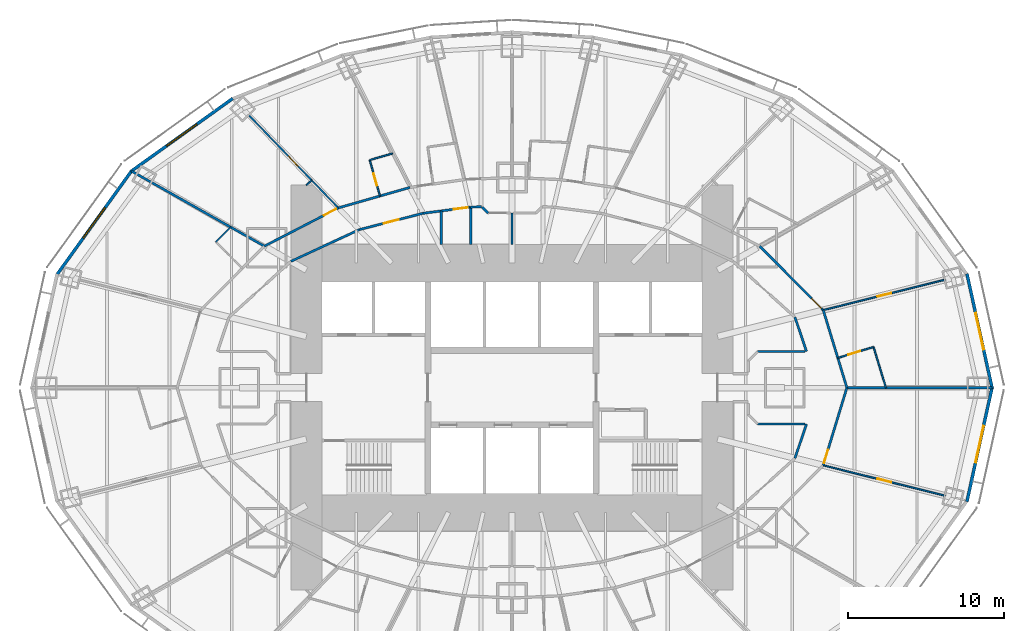
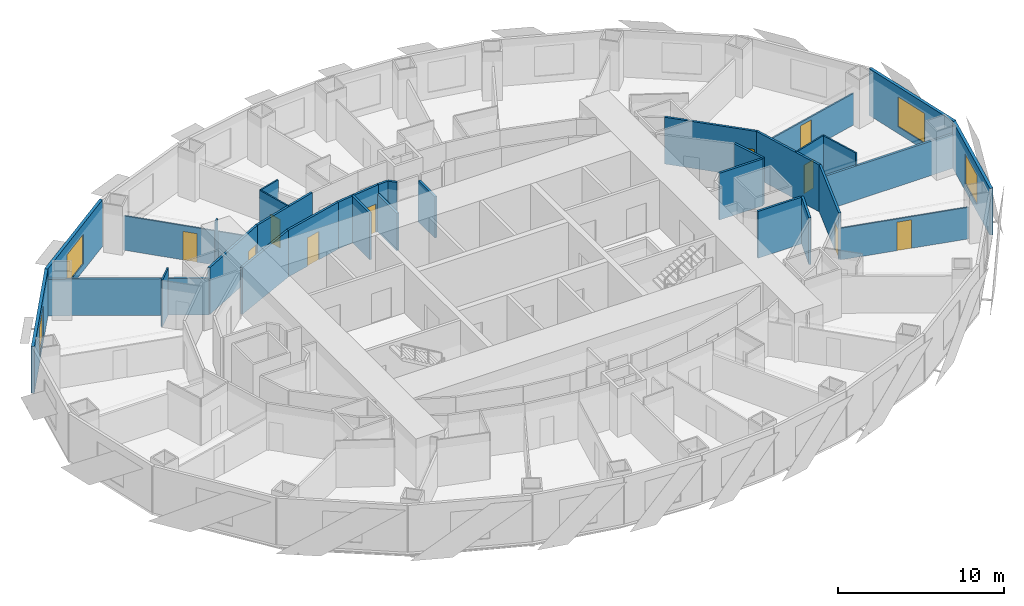
# One storey, part 8 of 15: 32 walls, 10 doors, 4 windows, 14 openings.
"""IFC4 building model written with IfcOpenShell, lengths in metres."""

import ifcopenshell
import ifcopenshell.guid

model = None  # the IFC model being written
_history = None  # IfcOwnerHistory: only IFC2X3 demands one
_inside = {}  # id of a spatial element -> (the spatial element, [elements in it])
_under = {}  # id of a project, library or spatial element -> (it, [spatial elements below it])
_declared = {}  # id of a project -> (the project, [libraries it declares])
_typed = {}  # id of a type object -> (the type object, [elements of that type])
_made_of = {}  # id of a material, layer set ... -> (it, [elements and type objects made of it])


def new_model(schema):
    """Start an empty IFC model of exactly this schema.

    Asked for "IFC4X3", IfcOpenShell would pick the latest addendum, in which some entities
    have other attributes; the version numbers below select the first issue.
    IFC2X3 requires an IfcOwnerHistory on every rooted entity: one is made here for all.
    """
    global model, _history
    if schema == "IFC4X3":
        model = ifcopenshell.file(schema_version=(4, 3, 0, 0))
    else:
        model = ifcopenshell.file(schema=schema)
    _inside.clear()
    _under.clear()
    _declared.clear()
    _typed.clear()
    _made_of.clear()
    _history = None
    if model.schema == "IFC2X3":
        org = make("IfcOrganization", Name="unknown")
        user = make(
            "IfcPersonAndOrganization",
            ThePerson=make("IfcPerson", FamilyName="unknown"),
            TheOrganization=org,
        )
        app = make(
            "IfcApplication",
            ApplicationDeveloper=org,
            Version="unknown",
            ApplicationFullName="unknown",
            ApplicationIdentifier="unknown",
        )
        _history = make(
            "IfcOwnerHistory",
            OwningUser=user,
            OwningApplication=app,
            ChangeAction="ADDED",
            CreationDate=0,
        )
    return model


def make(cls, **values):
    """One entity of the class cls with the attributes given. An attribute that is None is left unset."""
    return model.create_entity(
        cls, **{name: value for name, value in values.items() if value is not None}
    )


def rooted(cls, **values):
    """An entity with a GlobalId (a new one), such as an element, a storey or a relation."""
    return make(cls, GlobalId=ifcopenshell.guid.new(), OwnerHistory=_history, **values)


def si_unit(unit_type, name, prefix=None):
    """IfcSIUnit, for example si_unit("LENGTHUNIT", "METRE", prefix="MILLI")."""
    return make("IfcSIUnit", UnitType=unit_type, Prefix=prefix, Name=name)


def assignment(units):
    """IfcUnitAssignment: the units of a project."""
    return None if units is None else make("IfcUnitAssignment", Units=units)


def point(xyz):
    """IfcCartesianPoint."""
    return None if xyz is None else make("IfcCartesianPoint", Coordinates=xyz)


def direction(xyz):
    """IfcDirection."""
    return None if xyz is None else make("IfcDirection", DirectionRatios=xyz)


def frame(location, z_axis=None, x_axis=None):
    """IfcAxis2Placement3D, a coordinate frame: its origin and axes. An axis left out is left unset."""
    return make(
        "IfcAxis2Placement3D",
        Location=point(location),
        Axis=direction(z_axis),
        RefDirection=direction(x_axis),
    )


def frame_2d(location, x_axis=None):
    """IfcAxis2Placement2D, a coordinate frame in the plane: its origin and x axis."""
    return make(
        "IfcAxis2Placement2D", Location=point(location), RefDirection=direction(x_axis)
    )


def origin():
    """The frame at (0, 0, 0) with its axes left unset."""
    return frame((0.0, 0.0, 0.0))


def place(relative_to, where):
    """IfcLocalPlacement: puts the frame where relative to a parent placement (None: the world)."""
    return make(
        "IfcLocalPlacement", PlacementRelTo=relative_to, RelativePlacement=where
    )


def context(
    kind, dimensions, precision=None, world=None, true_north=None, identifier=None
):
    """IfcGeometricRepresentationContext, for example the 3D "Model" context."""
    return make(
        "IfcGeometricRepresentationContext",
        ContextIdentifier=identifier,
        ContextType=kind,
        CoordinateSpaceDimension=dimensions,
        Precision=precision,
        WorldCoordinateSystem=world,
        TrueNorth=true_north,
    )


def subcontext(parent, identifier, kind, view, scale=None):
    """IfcGeometricRepresentationSubContext, for example "Body" below "Model"."""
    return make(
        "IfcGeometricRepresentationSubContext",
        ContextIdentifier=identifier,
        ContextType=kind,
        ParentContext=parent,
        TargetScale=scale,
        TargetView=view,
    )


def project(units=None, contexts=None):
    """IfcProject with its units and contexts."""
    return rooted(
        "IfcProject",
        Name="project",
        RepresentationContexts=contexts,
        UnitsInContext=assignment(units),
    )


def spatial(cls, under=None, at=None, **own):
    """A site, building, storey or space (cls), placed at a placement, below another one or the project."""
    s = rooted(cls, ObjectPlacement=at, **own)
    if under is not None:
        _under.setdefault(under.id(), (under, []))[1].append(s)
    return s


def profile(cls, at=None, kind="AREA", **sizes):
    """A parametric profile (cls). Its sizes go by their IFC names, for example OverallWidth=200.0."""
    return make(cls, ProfileType=kind, Position=at, **sizes)


def rectangle(**sizes):
    """IfcRectangleProfileDef."""
    return profile("IfcRectangleProfileDef", **sizes)


def extrude(swept, where, along, depth):
    """IfcExtrudedAreaSolid: the profile swept, set in the frame where, extruded along a direction by depth."""
    return make(
        "IfcExtrudedAreaSolid",
        SweptArea=swept,
        Position=where,
        ExtrudedDirection=direction(along),
        Depth=depth,
    )


def shape(context_of_items, identifier, shape_type, items):
    """IfcShapeRepresentation: the items that make up one representation, for example the "Body"."""
    return make(
        "IfcShapeRepresentation",
        ContextOfItems=context_of_items,
        RepresentationIdentifier=identifier,
        RepresentationType=shape_type,
        Items=items,
    )


def material(Name=None, Category=None):
    """IfcMaterial."""
    return make("IfcMaterial", Name=Name, Category=Category)


def layer(
    of_material, thickness, ventilated=None, Name=None, Category=None, Priority=None
):
    """IfcMaterialLayer: one layer of a wall or slab, of a material (None: an air gap)."""
    return make(
        "IfcMaterialLayer",
        Material=of_material,
        LayerThickness=thickness,
        IsVentilated=ventilated,
        Name=Name,
        Category=Category,
        Priority=Priority,
    )


def layer_set(layers, Name=None):
    """IfcMaterialLayerSet."""
    return make("IfcMaterialLayerSet", MaterialLayers=layers, LayerSetName=Name)


def made_of(thing, what):
    """Note that an element or type object is made of a material, layer set ...; save() writes the relation."""
    if what is not None:
        _made_of.setdefault(what.id(), (what, []))[1].append(thing)
    return thing


def type_object(cls, material=None, **own):
    """A type object (cls), such as IfcWallType, which elements share."""
    return made_of(rooted(cls, **own), material)


def element(
    cls,
    number,
    at=None,
    inside=None,
    cuts=None,
    type_object=None,
    material=None,
    context=None,
    identifier="Body",
    shape_type=None,
    held_by="IfcProductDefinitionShape",
    body=None,
    shapes=None,
    **own,
):
    """One element of the class cls, such as IfcWall. Its Tag is "e" and its number.

    at: its placement. inside: the storey or other place that contains it. cuts: it is an
    opening in that element (IfcRelVoidsElement). A single representation is given by context,
    identifier, shape_type and body (its items); several are given by shapes. held_by: the class
    of the entity that holds the representations. save() writes the other relations.
    """
    e = rooted(cls, Tag="e%d" % number, ObjectPlacement=at, **own)
    if body is not None:
        shapes = [shape(context, identifier, shape_type, body)]
    if shapes is not None:
        e.Representation = make(held_by, Representations=shapes)
    if inside is not None:
        _inside.setdefault(inside.id(), (inside, []))[1].append(e)
    if cuts is not None:
        rooted(
            "IfcRelVoidsElement", RelatingBuildingElement=cuts, RelatedOpeningElement=e
        )
    if type_object is not None:
        _typed.setdefault(type_object.id(), (type_object, []))[1].append(e)
    return made_of(e, material)


def fill(opening, filler):
    """IfcRelFillsElement: the door or window that sits in an opening."""
    return rooted(
        "IfcRelFillsElement",
        RelatingOpeningElement=opening,
        RelatedBuildingElement=filler,
    )


def aggregate(whole, parts):
    """IfcRelAggregates: a whole, such as a stair, and the parts it consists of."""
    return rooted("IfcRelAggregates", RelatingObject=whole, RelatedObjects=parts)


def save(model, path):
    """Write the relations noted so far, then the file.

    IfcRelAggregates (storeys below a building ...), IfcRelContainedInSpatialStructure (elements
    in a storey), IfcRelDefinesByType, IfcRelAssociatesMaterial and IfcRelDeclares: one each for
    every whole, place, type object, material and project.
    """
    for whole, parts in _under.values():
        aggregate(whole, parts)
    for where, things in _inside.values():
        rooted(
            "IfcRelContainedInSpatialStructure",
            RelatedElements=things,
            RelatingStructure=where,
        )
    for kind, things in _typed.values():
        rooted("IfcRelDefinesByType", RelatedObjects=things, RelatingType=kind)
    for what, things in _made_of.values():
        rooted("IfcRelAssociatesMaterial", RelatedObjects=things, RelatingMaterial=what)
    for by, libraries in _declared.values():
        rooted("IfcRelDeclares", RelatingContext=by, RelatedDefinitions=libraries)
    model.write(path)


model = new_model("IFC4")

# Units and contexts
model_context = context("Model", 3, precision=1e-05, world=origin(), true_north=direction((0.0, 1.0)))
body_context = subcontext(model_context, "Body", "Model", "MODEL_VIEW")
ifc_project = project(units=[si_unit("LENGTHUNIT", "METRE"), si_unit("AREAUNIT", "SQUARE_METRE"), si_unit("VOLUMEUNIT", "CUBIC_METRE"), si_unit("PLANEANGLEUNIT", "RADIAN"), si_unit("MASSUNIT", "GRAM", prefix="KILO")], contexts=[model_context])

# Site, building, storey
site_placement = place(None, origin())
site = spatial("IfcSite", under=ifc_project, at=site_placement, CompositionType="ELEMENT")
building_placement = place(site_placement, origin())
building = spatial("IfcBuilding", under=site, at=building_placement, Name="Lantaw Convention Tower", CompositionType="ELEMENT")
storey_placement = place(building_placement, frame((0.0, 0.0, 47.800048828125)))
storey = spatial("IfcBuildingStorey", under=building, at=storey_placement, Name="L09", CompositionType="ELEMENT", Elevation=47.800048828125)

# Wall
ifc_material_1 = material(Name="Gypsum board on steel studs", Category="steel")
ifc_layer_1 = layer(ifc_material_1, 0.14990234375)
ifc_layer_set_1 = layer_set([ifc_layer_1], Name="Back of house wall 150")
wall_type_1 = type_object("IfcWallType", Name="Back of house wall 150", PredefinedType="PARTITIONING", material=ifc_layer_set_1)
wall_1_placement = place(storey_placement, frame((0.0, 9.199951171875, 0.0), z_axis=(0.0, 0.0, 1.0), x_axis=(0.0, 1.0, 0.0)))
element("IfcWall", 1, at=wall_1_placement, inside=storey, type_object=wall_type_1, Name="Back of house wall 150", PredefinedType="PARTITIONING", context=body_context, shape_type="SweptSolid", body=[
    extrude(rectangle(XDim=2.005126953125, YDim=0.14990234375, at=frame_2d((1.00244140625, 0.0))), origin(), (0.0, 0.0, 1.0), 3.04345703125),
])

# Wall, opening, door
ifc_material_2 = material(Name="Moisture resistant gypsum board on steel studs", Category="steel")
ifc_layer_2 = layer(ifc_material_2, 0.10009765625)
ifc_layer_set_2 = layer_set([ifc_layer_2], Name="Bathroom wall 100")
wall_type_2 = type_object("IfcWallType", Name="Bathroom wall 100", PredefinedType="PARTITIONING", material=ifc_layer_set_2)
wall_2_placement = place(storey_placement, frame((20.917236328125, 1.9130859375, 0.0), z_axis=(0.0, 0.0, 1.0), x_axis=(0.956591303063, 0.291432803411, 0.0)))
wall_2 = element("IfcWall", 2, at=wall_2_placement, inside=storey, type_object=wall_type_2, Name="Bathroom wall 100", PredefinedType="PARTITIONING", context=body_context, shape_type="SweptSolid", body=[
    extrude(rectangle(XDim=2.400146484375, YDim=0.10009765625, at=frame_2d((1.2001953125, 0.0))), origin(), (0.0, 0.0, 1.0), 3.449951171875),
])
opening_1_placement = place(wall_2_placement, frame((0.699951171875, 0.0, 0.0)))
opening_1 = element("IfcOpeningElement", 3, at=opening_1_placement, cuts=wall_2, Name="Opening L09.25", PredefinedType="OPENING", context=body_context, shape_type="SweptSolid", body=[
    extrude(rectangle(XDim=0.800048828125, YDim=2.10009765625, at=frame_2d((0.39990234375, 1.050048828125))), frame((0.0, 0.06005859375, 0.0), z_axis=(0.0, -1.0, 0.0), x_axis=(1.0, 0.0, 0.0)), (0.0, 0.0, 1.0), 0.1201171875),
])
ifc_material_3 = material(Name="Timber", Category="wood")
door_type_1 = type_object("IfcDoorType", Name="Bathroom door 800", OperationType="SINGLE_SWING_LEFT", PredefinedType="DOOR", material=ifc_material_3)
door_1_placement = place(opening_1_placement, origin())
door_1 = element("IfcDoor", 4, at=door_1_placement, inside=storey, type_object=door_type_1, Name="Bathroom door", OperationType="SINGLE_SWING_LEFT", OverallHeight=2.10009765625, OverallWidth=0.800048828125, PredefinedType="DOOR", context=body_context, shape_type="SweptSolid", body=[
    extrude(rectangle(XDim=0.800048828125, YDim=2.10009765625, at=frame_2d((0.39990234375, 1.050048828125))), frame((0.0, 0.02490234375, 0.0), z_axis=(0.0, -1.0, 0.0), x_axis=(1.0, 0.0, 0.0)), (0.0, 0.0, 1.0), 0.050048828125),
])
fill(opening_1, door_1)

# Wall
wall_3_placement = place(storey_placement, frame((23.213134765625, 2.612548828125, 0.0), z_axis=(0.0, 0.0, 1.0), x_axis=(0.291339473488, -0.956619731757, 0.0)))
element("IfcWall", 5, at=wall_3_placement, inside=storey, type_object=wall_type_2, Name="Bathroom wall 100", PredefinedType="PARTITIONING", context=body_context, shape_type="SweptSolid", body=[
    extrude(rectangle(XDim=2.73095703125, YDim=0.10009765625, at=frame_2d((1.365478515625, 0.0))), origin(), (0.0, 0.0, 1.0), 3.449951171875),
])

# Wall, opening, door
wall_4_placement = place(storey_placement, frame((-8.474365234375, 12.30810546875, 0.0), z_axis=(0.0, 0.0, 1.0), x_axis=(-0.27497640313, 0.961450975205, 0.0)))
wall_4 = element("IfcWall", 6, at=wall_4_placement, inside=storey, type_object=wall_type_2, Name="Bathroom wall 100", PredefinedType="PARTITIONING", context=body_context, shape_type="SweptSolid", body=[
    extrude(rectangle(XDim=2.39990234375, YDim=0.10009765625, at=frame_2d((1.199951171875, 0.0))), origin(), (0.0, 0.0, 1.0), 3.449951171875),
])
opening_2_placement = place(wall_4_placement, frame((0.699951171875, 0.0, 0.0)))
opening_2 = element("IfcOpeningElement", 7, at=opening_2_placement, cuts=wall_4, Name="Opening L09.38", PredefinedType="OPENING", context=body_context, shape_type="SweptSolid", body=[
    extrude(rectangle(XDim=0.800048828125, YDim=2.10009765625, at=frame_2d((0.39990234375, 1.050048828125))), frame((0.0, 0.06005859375, 0.0), z_axis=(0.0, -1.0, 0.0), x_axis=(1.0, 0.0, 0.0)), (0.0, 0.0, 1.0), 0.1201171875),
])
door_2_placement = place(opening_2_placement, origin())
door_2 = element("IfcDoor", 8, at=door_2_placement, inside=storey, type_object=door_type_1, Name="Bathroom door", OperationType="SINGLE_SWING_LEFT", OverallHeight=2.10009765625, OverallWidth=0.800048828125, PredefinedType="DOOR", context=body_context, shape_type="SweptSolid", body=[
    extrude(rectangle(XDim=0.800048828125, YDim=2.10009765625, at=frame_2d((0.39990234375, 1.050048828125))), frame((0.0, 0.02490234375, 0.0), z_axis=(0.0, -1.0, 0.0), x_axis=(1.0, 0.0, 0.0)), (0.0, 0.0, 1.0), 0.050048828125),
])
fill(opening_2, door_2)

# Walls
wall_5_placement = place(storey_placement, frame((-9.13427734375, 14.615478515625, 0.0), z_axis=(0.0, 0.0, 1.0), x_axis=(0.96145775668, 0.274952690695, 0.0)))
element("IfcWall", 9, at=wall_5_placement, inside=storey, type_object=wall_type_2, Name="Bathroom wall 100", PredefinedType="PARTITIONING", context=body_context, shape_type="SweptSolid", body=[
    extrude(rectangle(XDim=1.53173828125, YDim=0.10009765625, at=frame_2d((0.765869140625, 0.0))), origin(), (0.0, 0.0, 1.0), 3.449951171875),
])
wall_6_placement = place(storey_placement, frame((-19.01318359375, 9.3603515625, 0.0), z_axis=(0.0, 0.0, 1.0), x_axis=(0.7051187611, 0.709089227633, 0.0)))
element("IfcWall", 10, at=wall_6_placement, inside=storey, type_object=wall_type_2, Name="Bathroom wall 100", PredefinedType="PARTITIONING", context=body_context, shape_type="SweptSolid", body=[
    extrude(rectangle(XDim=1.352783203125, YDim=0.10009765625, at=frame_2d((0.67626953125, 0.0))), origin(), (0.0, 0.0, 1.0), 3.449951171875),
])
ifc_material_4 = material(Name="Gypsum board on steel studs, fire rated", Category="steel")
ifc_layer_3 = layer(ifc_material_4, 0.14990234375)
ifc_layer_set_3 = layer_set([ifc_layer_3], Name="Corridor wall 150 EI 60")
wall_type_3 = type_object("IfcWallType", Name="Corridor wall 150 EI 60", PredefinedType="PARTITIONING", material=ifc_layer_set_3)
wall_7_placement = place(storey_placement, frame((21.5, 0.0, 0.0), z_axis=(0.0, 0.0, 1.0), x_axis=(-0.291383581394, 0.95660629754, 0.0)))
element("IfcWall", 11, at=wall_7_placement, inside=storey, type_object=wall_type_3, Name="Corridor wall 150", PredefinedType="PARTITIONING", context=body_context, shape_type="SweptSolid", body=[
    extrude(rectangle(XDim=5.208251953125, YDim=0.14990234375, at=frame_2d((2.60400390625, 0.0))), origin(), (0.0, 0.0, 1.0), 3.449951171875),
])

# Wall, opening, door
wall_8_placement = place(storey_placement, frame((19.982421875, 4.982177734375, 0.0), z_axis=(0.0, 0.0, 1.0), x_axis=(-0.705121546414, 0.709086457904, 0.0)))
wall_8 = element("IfcWall", 12, at=wall_8_placement, inside=storey, type_object=wall_type_3, Name="Corridor wall 150", PredefinedType="PARTITIONING", context=body_context, shape_type="SweptSolid", body=[
    extrude(rectangle(XDim=5.7880859375, YDim=0.14990234375, at=frame_2d((2.89404296875, 0.0))), origin(), (0.0, 0.0, 1.0), 3.449951171875),
])
opening_3_placement = place(wall_8_placement, frame((0.14990234375, 0.0, 0.0)))
opening_3 = element("IfcOpeningElement", 13, at=opening_3_placement, cuts=wall_8, Name="Opening L09.27", PredefinedType="OPENING", context=body_context, shape_type="SweptSolid", body=[
    extrude(rectangle(XDim=0.89990234375, YDim=2.10009765625, at=frame_2d((0.449951171875, 1.050048828125))), frame((0.0, 0.0849609375, 0.0), z_axis=(0.0, -1.0, 0.0), x_axis=(1.0, 0.0, 0.0)), (0.0, 0.0, 1.0), 0.169921875),
])
ifc_material_5 = material(Name="Steel, fire rated", Category="steel")
door_type_2 = type_object("IfcDoorType", Name="Guest room entrance door FD30S", OperationType="SINGLE_SWING_LEFT", PredefinedType="DOOR", material=ifc_material_5)
door_3_placement = place(opening_3_placement, origin())
door_3 = element("IfcDoor", 14, at=door_3_placement, inside=storey, type_object=door_type_2, Name="Suite entrance door", OperationType="SINGLE_SWING_LEFT", OverallHeight=2.10009765625, OverallWidth=0.89990234375, PredefinedType="DOOR", context=body_context, shape_type="SweptSolid", body=[
    extrude(rectangle(XDim=0.89990234375, YDim=2.10009765625, at=frame_2d((0.449951171875, 1.050048828125))), frame((0.0, 0.02490234375, 0.0), z_axis=(0.0, -1.0, 0.0), x_axis=(1.0, 0.0, 0.0)), (0.0, 0.0, 1.0), 0.050048828125),
])
fill(opening_3, door_3)

# Wall
wall_9_placement = place(storey_placement, frame((-6.551513671875, 12.85791015625, 0.0), z_axis=(0.0, 0.0, 1.0), x_axis=(-0.961464178199, -0.27493023486, 0.0)))
element("IfcWall", 15, at=wall_9_placement, inside=storey, type_object=wall_type_3, Name="Corridor wall 150", PredefinedType="PARTITIONING", context=body_context, shape_type="SweptSolid", body=[
    extrude(rectangle(XDim=4.7802734375, YDim=0.14990234375, at=frame_2d((2.39013671875, 0.0))), origin(), (0.0, 0.0, 1.0), 3.449951171875),
])

# Wall, opening, door
wall_10_placement = place(storey_placement, frame((-11.1474609375, 11.543701171875, 0.0), z_axis=(0.0, 0.0, 1.0), x_axis=(-0.888333171507, -0.459199495209, 0.0)))
wall_10 = element("IfcWall", 16, at=wall_10_placement, inside=storey, type_object=wall_type_3, Name="Corridor wall 150", PredefinedType="PARTITIONING", context=body_context, shape_type="SweptSolid", body=[
    extrude(rectangle(XDim=5.351318359375, YDim=0.14990234375, at=frame_2d((2.67578125, 0.0))), origin(), (0.0, 0.0, 1.0), 3.449951171875),
])
opening_4_placement = place(wall_10_placement, frame((0.14990234375, 0.0, 0.0)))
opening_4 = element("IfcOpeningElement", 17, at=opening_4_placement, cuts=wall_10, Name="Opening L09.40", PredefinedType="OPENING", context=body_context, shape_type="SweptSolid", body=[
    extrude(rectangle(XDim=0.89990234375, YDim=2.10009765625, at=frame_2d((0.449951171875, 1.050048828125))), frame((0.0, 0.0849609375, 0.0), z_axis=(0.0, -1.0, 0.0), x_axis=(1.0, 0.0, 0.0)), (0.0, 0.0, 1.0), 0.169921875),
])
door_4_placement = place(opening_4_placement, origin())
door_4 = element("IfcDoor", 18, at=door_4_placement, inside=storey, type_object=door_type_2, Name="Suite entrance door", OperationType="SINGLE_SWING_LEFT", OverallHeight=2.10009765625, OverallWidth=0.89990234375, PredefinedType="DOOR", context=body_context, shape_type="SweptSolid", body=[
    extrude(rectangle(XDim=0.89990234375, YDim=2.10009765625, at=frame_2d((0.449951171875, 1.050048828125))), frame((0.0, 0.02490234375, 0.0), z_axis=(0.0, -1.0, 0.0), x_axis=(1.0, 0.0, 0.0)), (0.0, 0.0, 1.0), 0.050048828125),
])
fill(opening_4, door_4)

wall_11_placement = place(storey_placement, frame((19.982421875, -4.982177734375, 0.0), z_axis=(0.0, 0.0, 1.0), x_axis=(0.291383581394, 0.95660629754, 0.0)))
wall_11 = element("IfcWall", 19, at=wall_11_placement, inside=storey, type_object=wall_type_3, Name="Corridor wall 150", PredefinedType="PARTITIONING", context=body_context, shape_type="SweptSolid", body=[
    extrude(rectangle(XDim=5.208251953125, YDim=0.14990234375, at=frame_2d((2.60400390625, 0.0))), origin(), (0.0, 0.0, 1.0), 3.449951171875),
])
opening_5_placement = place(wall_11_placement, frame((0.14990234375, 0.0, 0.0)))
opening_5 = element("IfcOpeningElement", 20, at=opening_5_placement, cuts=wall_11, Name="Opening L09.61", PredefinedType="OPENING", context=body_context, shape_type="SweptSolid", body=[
    extrude(rectangle(XDim=0.89990234375, YDim=2.10009765625, at=frame_2d((0.449951171875, 1.050048828125))), frame((0.0, 0.0849609375, 0.0), z_axis=(0.0, -1.0, 0.0), x_axis=(1.0, 0.0, 0.0)), (0.0, 0.0, 1.0), 0.169921875),
])
door_5_placement = place(opening_5_placement, origin())
door_5 = element("IfcDoor", 21, at=door_5_placement, inside=storey, type_object=door_type_2, Name="Suite entrance door", OperationType="SINGLE_SWING_LEFT", OverallHeight=2.10009765625, OverallWidth=0.89990234375, PredefinedType="DOOR", context=body_context, shape_type="SweptSolid", body=[
    extrude(rectangle(XDim=0.89990234375, YDim=2.10009765625, at=frame_2d((0.449951171875, 1.050048828125))), frame((0.0, 0.02490234375, 0.0), z_axis=(0.0, -1.0, 0.0), x_axis=(1.0, 0.0, 0.0)), (0.0, 0.0, 1.0), 0.050048828125),
])
fill(opening_5, door_5)

wall_12_placement = place(storey_placement, frame((-2.676025390625, 11.591552734375, 0.0), z_axis=(0.0, 0.0, 1.0), x_axis=(-0.99168929531, -0.128655903743, 0.0)))
wall_12 = element("IfcWall", 22, at=wall_12_placement, inside=storey, type_object=wall_type_3, Name="Corridor wall 150", PredefinedType="PARTITIONING", context=body_context, shape_type="SweptSolid", body=[
    extrude(rectangle(XDim=3.05517578125, YDim=0.14990234375, at=frame_2d((1.527587890625, 0.0))), origin(), (0.0, 0.0, 1.0), 3.449951171875),
])
opening_6_placement = place(wall_12_placement, frame((0.174560546875, 0.0, 0.0)))
opening_6 = element("IfcOpeningElement", 23, at=opening_6_placement, cuts=wall_12, Name="Opening L09.19", PredefinedType="OPENING", context=body_context, shape_type="SweptSolid", body=[
    extrude(rectangle(XDim=0.89990234375, YDim=2.10009765625, at=frame_2d((0.449951171875, 1.050048828125))), frame((0.0, 0.0849609375, 0.0), z_axis=(0.0, -1.0, 0.0), x_axis=(1.0, 0.0, 0.0)), (0.0, 0.0, 1.0), 0.169921875),
])
door_type_3 = type_object("IfcDoorType", Name="WC door 900 FD30", OperationType="SINGLE_SWING_LEFT", PredefinedType="DOOR", material=ifc_material_5)
door_6_placement = place(opening_6_placement, origin())
door_6 = element("IfcDoor", 24, at=door_6_placement, inside=storey, type_object=door_type_3, Name="Staff WC door", OperationType="SINGLE_SWING_LEFT", OverallHeight=2.10009765625, OverallWidth=0.89990234375, PredefinedType="DOOR", context=body_context, shape_type="SweptSolid", body=[
    extrude(rectangle(XDim=0.89990234375, YDim=2.10009765625, at=frame_2d((0.449951171875, 1.050048828125))), frame((0.0, 0.02490234375, 0.0), z_axis=(0.0, -1.0, 0.0), x_axis=(1.0, 0.0, 0.0)), (0.0, 0.0, 1.0), 0.050048828125),
])
fill(opening_6, door_6)

wall_13_placement = place(storey_placement, frame((-5.705810546875, 11.198486328125, 0.0), z_axis=(0.0, 0.0, 1.0), x_axis=(-0.968705891355, -0.248211393886, 0.0)))
wall_13 = element("IfcWall", 25, at=wall_13_placement, inside=storey, type_object=wall_type_3, Name="Corridor wall 150", PredefinedType="PARTITIONING", context=body_context, shape_type="SweptSolid", body=[
    extrude(rectangle(XDim=4.2275390625, YDim=0.14990234375, at=frame_2d((2.11376953125, 0.0))), origin(), (0.0, 0.0, 1.0), 3.449951171875),
])
opening_7_placement = place(wall_13_placement, frame((1.61376953125, 0.0, 0.0)))
opening_7 = element("IfcOpeningElement", 26, at=opening_7_placement, cuts=wall_13, Name="Opening L09.20", PredefinedType="OPENING", context=body_context, shape_type="SweptSolid", body=[
    extrude(rectangle(XDim=1.0, YDim=2.10009765625, at=frame_2d((0.5, 1.050048828125))), frame((0.0, 0.0849609375, 0.0), z_axis=(0.0, -1.0, 0.0), x_axis=(1.0, 0.0, 0.0)), (0.0, 0.0, 1.0), 0.169921875),
])
door_type_4 = type_object("IfcDoorType", Name="Service door 1000 FD30", OperationType="SINGLE_SWING_LEFT", PredefinedType="DOOR", material=ifc_material_5)
door_7_placement = place(opening_7_placement, origin())
door_7 = element("IfcDoor", 27, at=door_7_placement, inside=storey, type_object=door_type_4, Name="Housekeeping room door", OperationType="SINGLE_SWING_LEFT", OverallHeight=2.10009765625, OverallWidth=1.0, PredefinedType="DOOR", context=body_context, shape_type="SweptSolid", body=[
    extrude(rectangle(XDim=1.0, YDim=2.10009765625, at=frame_2d((0.5, 1.050048828125))), frame((0.0, 0.02490234375, 0.0), z_axis=(0.0, -1.0, 0.0), x_axis=(1.0, 0.0, 0.0)), (0.0, 0.0, 1.0), 0.050048828125),
])
fill(opening_7, door_7)

# Walls
wall_14_placement = place(storey_placement, frame((-9.801025390625, 10.149169921875, 0.0), z_axis=(0.0, 0.0, 1.0), x_axis=(-0.907279653965, -0.420527798727, 0.0)))
element("IfcWall", 28, at=wall_14_placement, inside=storey, type_object=wall_type_3, Name="Corridor wall 150", PredefinedType="PARTITIONING", context=body_context, shape_type="SweptSolid", body=[
    extrude(rectangle(XDim=4.84423828125, YDim=0.14990234375, at=frame_2d((2.422119140625, 0.0))), origin(), (0.0, 0.0, 1.0), 3.449951171875),
])
wall_15_placement = place(storey_placement, frame((-1.952392578125, 11.620849609375, 0.0), z_axis=(0.0, 0.0, 1.0), x_axis=(-0.999181454908, -0.040452690482, 0.0)))
element("IfcWall", 29, at=wall_15_placement, inside=storey, type_object=wall_type_3, Name="Corridor wall 150", PredefinedType="PARTITIONING", context=body_context, shape_type="SweptSolid", body=[
    extrude(rectangle(XDim=0.72412109375, YDim=0.14990234375, at=frame_2d((0.362060546875, 0.0))), origin(), (0.0, 0.0, 1.0), 3.449951171875),
])
wall_16_placement = place(storey_placement, frame((-1.5322265625, 11.215087890625, 0.0), z_axis=(0.0, 0.0, 1.0), x_axis=(-0.707328479487, 0.706885013356, 0.0)))
element("IfcWall", 30, at=wall_16_placement, inside=storey, type_object=wall_type_3, Name="Corridor wall 150", PredefinedType="PARTITIONING", context=body_context, shape_type="SweptSolid", body=[
    extrude(rectangle(XDim=0.550537109375, YDim=0.14990234375, at=frame_2d((0.275390625, 0.0))), origin(), (0.0, 0.0, 1.0), 3.449951171875),
])
for number, where, z_axis, x_axis, name in (
    (31, (18.908203125, 2.3349609375, 0.0), (0.0, 0.0, 1.0), (-0.321124194945, 0.947037090837, 0.0), "Corridor wall 150"),
    (32, (18.164306640625, -4.52880859375, 0.0), (0.0, 0.0, 1.0), (0.321124194945, 0.947037090837, 0.0), "Corridor wall 150"),
):
    element("IfcWall", number, at=place(storey_placement, frame(where, z_axis=z_axis, x_axis=x_axis)), inside=storey, type_object=wall_type_3, Name=name, PredefinedType="PARTITIONING", context=body_context, shape_type="SweptSolid", body=[
        extrude(rectangle(XDim=2.316650390625, YDim=0.14990234375, at=frame_2d((1.158203125, 0.0))), origin(), (0.0, 0.0, 1.0), 3.449951171875),
    ])
for number, where, z_axis, x_axis, name in (
    (33, (15.775390625, 2.324951171875, 0.0), (0.0, 0.0, 1.0), (1.0, 0.0, 0.0), "Corridor wall 150"),
    (34, (18.80078125, -2.324951171875, 0.0), (0.0, 0.0, 1.0), (-1.0, 0.0, 0.0), "Corridor wall 150"),
):
    element("IfcWall", number, at=place(storey_placement, frame(where, z_axis=z_axis, x_axis=x_axis)), inside=storey, type_object=wall_type_3, Name=name, PredefinedType="PARTITIONING", context=body_context, shape_type="SweptSolid", body=[
        extrude(rectangle(XDim=3.025390625, YDim=0.14990234375, at=frame_2d((1.5126953125, 0.0))), origin(), (0.0, 0.0, 1.0), 3.449951171875),
    ])

# Wall, opening, window
ifc_material_6 = material(Name="Insulated aluminium panel on steel frame", Category="steel")
ifc_layer_4 = layer(ifc_material_6, 0.199951171875)
ifc_layer_set_4 = layer_set([ifc_layer_4], Name="External wall 200")
wall_type_4 = type_object("IfcWallType", Name="External wall 200", PredefinedType="SOLIDWALL", material=ifc_layer_set_4)
wall_17_placement = place(storey_placement, frame((30.83544921875, -0.06689453125, 0.0), z_axis=(0.0, 0.0, 1.0), x_axis=(-0.215238065514, 0.976561608478, 0.0)))
wall_17 = element("IfcWall", 35, at=wall_17_placement, inside=storey, type_object=wall_type_4, Name="Facade panel wall", PredefinedType="SOLIDWALL", context=body_context, shape_type="SweptSolid", body=[
    extrude(rectangle(XDim=7.562255859375, YDim=0.199951171875, at=frame_2d((3.78125, 0.0))), origin(), (0.0, 0.0, 1.0), 3.449951171875),
])
opening_8_placement = place(wall_17_placement, frame((2.581298828125, 0.0, 0.5)))
opening_8 = element("IfcOpeningElement", 36, at=opening_8_placement, cuts=wall_17, Name="Opening W1", PredefinedType="OPENING", context=body_context, shape_type="SweptSolid", body=[
    extrude(rectangle(XDim=2.39990234375, YDim=2.199951171875, at=frame_2d((1.199951171875, 1.10009765625))), frame((0.0, 0.10986328125, 0.0), z_axis=(0.0, -1.0, 0.0), x_axis=(1.0, 0.0, 0.0)), (0.0, 0.0, 1.0), 0.219970703125),
])
ifc_material_7 = material(Name="Aluminium frame, clear insulating glass", Category="aluminium")
window_type = type_object("IfcWindowType", Name="Guest room window 2400x2200", PartitioningType="SINGLE_PANEL", PredefinedType="WINDOW", material=ifc_material_7)
window_1_placement = place(opening_8_placement, origin())
window_1 = element("IfcWindow", 37, at=window_1_placement, inside=storey, type_object=window_type, Name="Guest room window", OverallHeight=2.199951171875, OverallWidth=2.39990234375, PartitioningType="SINGLE_PANEL", PredefinedType="WINDOW", context=body_context, shape_type="SweptSolid", body=[
    extrude(rectangle(XDim=2.39990234375, YDim=2.199951171875, at=frame_2d((1.199951171875, 1.10009765625))), frame((0.0, 0.030029296875, 0.0), z_axis=(0.0, -1.0, 0.0), x_axis=(1.0, 0.0, 0.0)), (0.0, 0.0, 1.0), 0.06005859375),
])
fill(opening_8, window_1)

wall_18_placement = place(storey_placement, frame((-17.9287109375, 18.57177734375, 0.0), z_axis=(0.0, 0.0, 1.0), x_axis=(-0.812791321576, -0.582554948112, 0.0)))
wall_18 = element("IfcWall", 38, at=wall_18_placement, inside=storey, type_object=wall_type_4, Name="Facade panel wall", PredefinedType="SOLIDWALL", context=body_context, shape_type="SweptSolid", body=[
    extrude(rectangle(XDim=8.063232421875, YDim=0.199951171875, at=frame_2d((4.03173828125, 0.0))), origin(), (0.0, 0.0, 1.0), 3.449951171875),
])
opening_9_placement = place(wall_18_placement, frame((2.83154296875, 0.0, 0.5)))
opening_9 = element("IfcOpeningElement", 39, at=opening_9_placement, cuts=wall_18, Name="Opening W1", PredefinedType="OPENING", context=body_context, shape_type="SweptSolid", body=[
    extrude(rectangle(XDim=2.39990234375, YDim=2.199951171875, at=frame_2d((1.199951171875, 1.10009765625))), frame((0.0, 0.10986328125, 0.0), z_axis=(0.0, -1.0, 0.0), x_axis=(1.0, 0.0, 0.0)), (0.0, 0.0, 1.0), 0.219970703125),
])
window_2_placement = place(opening_9_placement, origin())
window_2 = element("IfcWindow", 40, at=window_2_placement, inside=storey, type_object=window_type, Name="Guest room window", OverallHeight=2.199951171875, OverallWidth=2.39990234375, PartitioningType="SINGLE_PANEL", PredefinedType="WINDOW", context=body_context, shape_type="SweptSolid", body=[
    extrude(rectangle(XDim=2.39990234375, YDim=2.199951171875, at=frame_2d((1.199951171875, 1.10009765625))), frame((0.0, 0.030029296875, 0.0), z_axis=(0.0, -1.0, 0.0), x_axis=(1.0, 0.0, 0.0)), (0.0, 0.0, 1.0), 0.06005859375),
])
fill(opening_9, window_2)

wall_19_placement = place(storey_placement, frame((-24.400390625, 13.95654296875, 0.0), z_axis=(0.0, 0.0, 1.0), x_axis=(-0.583937613703, -0.811798536155, 0.0)))
wall_19 = element("IfcWall", 41, at=wall_19_placement, inside=storey, type_object=wall_type_4, Name="Facade panel wall", PredefinedType="SOLIDWALL", context=body_context, shape_type="SweptSolid", body=[
    extrude(rectangle(XDim=8.322998046875, YDim=0.199951171875, at=frame_2d((4.16162109375, 0.0))), origin(), (0.0, 0.0, 1.0), 3.449951171875),
])
opening_10_placement = place(wall_19_placement, frame((2.96142578125, 0.0, 0.5)))
opening_10 = element("IfcOpeningElement", 42, at=opening_10_placement, cuts=wall_19, Name="Opening W1", PredefinedType="OPENING", context=body_context, shape_type="SweptSolid", body=[
    extrude(rectangle(XDim=2.39990234375, YDim=2.199951171875, at=frame_2d((1.199951171875, 1.10009765625))), frame((0.0, 0.10986328125, 0.0), z_axis=(0.0, -1.0, 0.0), x_axis=(1.0, 0.0, 0.0)), (0.0, 0.0, 1.0), 0.219970703125),
])
window_3_placement = place(opening_10_placement, origin())
window_3 = element("IfcWindow", 43, at=window_3_placement, inside=storey, type_object=window_type, Name="Guest room window", OverallHeight=2.199951171875, OverallWidth=2.39990234375, PartitioningType="SINGLE_PANEL", PredefinedType="WINDOW", context=body_context, shape_type="SweptSolid", body=[
    extrude(rectangle(XDim=2.39990234375, YDim=2.199951171875, at=frame_2d((1.199951171875, 1.10009765625))), frame((0.0, 0.030029296875, 0.0), z_axis=(0.0, -1.0, 0.0), x_axis=(1.0, 0.0, 0.0)), (0.0, 0.0, 1.0), 0.06005859375),
])
fill(opening_10, window_3)

wall_20_placement = place(storey_placement, frame((29.207763671875, -7.318115234375, 0.0), z_axis=(0.0, 0.0, 1.0), x_axis=(0.215238065514, 0.976561608478, 0.0)))
wall_20 = element("IfcWall", 44, at=wall_20_placement, inside=storey, type_object=wall_type_4, Name="Facade panel wall", PredefinedType="SOLIDWALL", context=body_context, shape_type="SweptSolid", body=[
    extrude(rectangle(XDim=7.562255859375, YDim=0.199951171875, at=frame_2d((3.78125, 0.0))), origin(), (0.0, 0.0, 1.0), 3.449951171875),
])
opening_11_placement = place(wall_20_placement, frame((2.581298828125, 0.0, 0.5)))
opening_11 = element("IfcOpeningElement", 45, at=opening_11_placement, cuts=wall_20, Name="Opening W1", PredefinedType="OPENING", context=body_context, shape_type="SweptSolid", body=[
    extrude(rectangle(XDim=2.39990234375, YDim=2.199951171875, at=frame_2d((1.199951171875, 1.10009765625))), frame((0.0, 0.10986328125, 0.0), z_axis=(0.0, -1.0, 0.0), x_axis=(1.0, 0.0, 0.0)), (0.0, 0.0, 1.0), 0.219970703125),
])
window_4_placement = place(opening_11_placement, origin())
window_4 = element("IfcWindow", 46, at=window_4_placement, inside=storey, type_object=window_type, Name="Guest room window", OverallHeight=2.199951171875, OverallWidth=2.39990234375, PartitioningType="SINGLE_PANEL", PredefinedType="WINDOW", context=body_context, shape_type="SweptSolid", body=[
    extrude(rectangle(XDim=2.39990234375, YDim=2.199951171875, at=frame_2d((1.199951171875, 1.10009765625))), frame((0.0, 0.030029296875, 0.0), z_axis=(0.0, -1.0, 0.0), x_axis=(1.0, 0.0, 0.0)), (0.0, 0.0, 1.0), 0.06005859375),
])
fill(opening_11, window_4)

# Walls
ifc_material_8 = material(Name="Gypsum board on steel studs, acoustic", Category="steel")
ifc_layer_5 = layer(ifc_material_8, 0.14990234375)
ifc_layer_set_5 = layer_set([ifc_layer_5], Name="Guest room party wall 150")
wall_type_5 = type_object("IfcWallType", Name="Guest room party wall 150", PredefinedType="PARTITIONING", material=ifc_layer_set_5)
wall_21_placement = place(storey_placement, frame((30.82080078125, 0.0, 0.0), z_axis=(0.0, 0.0, 1.0), x_axis=(-1.0, 0.0, 0.0)))
element("IfcWall", 47, at=wall_21_placement, inside=storey, type_object=wall_type_5, Name="Guest room party wall 150", PredefinedType="PARTITIONING", context=body_context, shape_type="SweptSolid", body=[
    extrude(rectangle(XDim=9.32080078125, YDim=0.14990234375, at=frame_2d((4.660400390625, 0.0))), origin(), (0.0, 0.0, 1.0), 2.52783203125),
])
wall_22_placement = place(storey_placement, frame((-24.434814453125, 13.90869140625, 0.0), z_axis=(0.0, 0.0, 1.0), x_axis=(0.870612006791, -0.491970256856, 0.0)))
element("IfcWall", 48, at=wall_22_placement, inside=storey, type_object=wall_type_5, Name="Guest room party wall 150", PredefinedType="PARTITIONING", context=body_context, shape_type="SweptSolid", body=[
    extrude(rectangle(XDim=9.802001953125, YDim=0.14990234375, at=frame_2d((4.90087890625, 0.0))), origin(), (0.0, 0.0, 1.0), 2.693115234375),
])
ifc_layer_6 = layer(ifc_material_8, 0.10009765625)
ifc_layer_set_6 = layer_set([ifc_layer_6], Name="Office partition 100")
wall_type_6 = type_object("IfcWallType", Name="Office partition 100", PredefinedType="PARTITIONING", material=ifc_layer_set_6)
wall_23_placement = place(storey_placement, frame((-13.199951171875, 13.0, 0.0), z_axis=(0.0, 0.0, 1.0), x_axis=(0.719347134512, 0.69465077562, 0.0)))
element("IfcWall", 49, at=wall_23_placement, inside=storey, type_object=wall_type_6, Name="Office partition 100", PredefinedType="PARTITIONING", context=body_context, shape_type="SweptSolid", body=[
    extrude(rectangle(XDim=0.464599609375, YDim=0.10009765625, at=frame_2d((0.232421875, 0.0))), origin(), (0.0, 0.0, 1.0), 3.449951171875),
])

# Wall, opening, door
ifc_layer_7 = layer(ifc_material_1, 0.10009765625)
ifc_layer_set_7 = layer_set([ifc_layer_7], Name="Suite partition 100")
wall_type_7 = type_object("IfcWallType", Name="Suite partition 100", PredefinedType="PARTITIONING", material=ifc_layer_set_7)
wall_24_placement = place(storey_placement, frame((27.832763671875, 6.939453125, 0.0), z_axis=(0.0, 0.0, 1.0), x_axis=(-0.97029673161, -0.24191786339, 0.0)))
wall_24 = element("IfcWall", 50, at=wall_24_placement, inside=storey, type_object=wall_type_7, Name="Suite partition 100", PredefinedType="PARTITIONING", context=body_context, shape_type="SweptSolid", body=[
    extrude(rectangle(XDim=8.090576171875, YDim=0.10009765625, at=frame_2d((4.04541015625, 0.0))), origin(), (0.0, 0.0, 1.0), 2.332275390625),
])
opening_12_placement = place(wall_24_placement, frame((3.59521484375, 0.0, 0.0)))
opening_12 = element("IfcOpeningElement", 51, at=opening_12_placement, cuts=wall_24, Name="Opening L09.26", PredefinedType="OPENING", context=body_context, shape_type="SweptSolid", body=[
    extrude(rectangle(XDim=0.89990234375, YDim=2.10009765625, at=frame_2d((0.449951171875, 1.050048828125))), frame((0.0, 0.06005859375, 0.0), z_axis=(0.0, -1.0, 0.0), x_axis=(1.0, 0.0, 0.0)), (0.0, 0.0, 1.0), 0.1201171875),
])
door_type_5 = type_object("IfcDoorType", Name="Suite door 900", OperationType="SINGLE_SWING_LEFT", PredefinedType="DOOR", material=ifc_material_3)
door_8_placement = place(opening_12_placement, origin())
door_8 = element("IfcDoor", 52, at=door_8_placement, inside=storey, type_object=door_type_5, Name="Bedroom door", OperationType="SINGLE_SWING_LEFT", OverallHeight=2.10009765625, OverallWidth=0.89990234375, PredefinedType="DOOR", context=body_context, shape_type="SweptSolid", body=[
    extrude(rectangle(XDim=0.89990234375, YDim=2.10009765625, at=frame_2d((0.449951171875, 1.050048828125))), frame((0.0, 0.02490234375, 0.0), z_axis=(0.0, -1.0, 0.0), x_axis=(1.0, 0.0, 0.0)), (0.0, 0.0, 1.0), 0.050048828125),
])
fill(opening_12, door_8)

wall_25_placement = place(storey_placement, frame((-16.943603515625, 17.54541015625, 0.0), z_axis=(0.0, 0.0, 1.0), x_axis=(0.694680670522, -0.71931826475, 0.0)))
wall_25 = element("IfcWall", 53, at=wall_25_placement, inside=storey, type_object=wall_type_7, Name="Suite partition 100", PredefinedType="PARTITIONING", context=body_context, shape_type="SweptSolid", body=[
    extrude(rectangle(XDim=8.343505859375, YDim=0.10009765625, at=frame_2d((4.171875, 0.0))), origin(), (0.0, 0.0, 1.0), 2.52783203125),
])
opening_13_placement = place(wall_25_placement, frame((3.7216796875, 0.0, 0.0)))
opening_13 = element("IfcOpeningElement", 54, at=opening_13_placement, cuts=wall_25, Name="Opening L09.39", PredefinedType="OPENING", context=body_context, shape_type="SweptSolid", body=[
    extrude(rectangle(XDim=0.89990234375, YDim=2.10009765625, at=frame_2d((0.449951171875, 1.050048828125))), frame((0.0, 0.06005859375, 0.0), z_axis=(0.0, -1.0, 0.0), x_axis=(1.0, 0.0, 0.0)), (0.0, 0.0, 1.0), 0.1201171875),
])
door_9_placement = place(opening_13_placement, origin())
door_9 = element("IfcDoor", 55, at=door_9_placement, inside=storey, type_object=door_type_5, Name="Bedroom door", OperationType="SINGLE_SWING_LEFT", OverallHeight=2.10009765625, OverallWidth=0.89990234375, PredefinedType="DOOR", context=body_context, shape_type="SweptSolid", body=[
    extrude(rectangle(XDim=0.89990234375, YDim=2.10009765625, at=frame_2d((0.449951171875, 1.050048828125))), frame((0.0, 0.02490234375, 0.0), z_axis=(0.0, -1.0, 0.0), x_axis=(1.0, 0.0, 0.0)), (0.0, 0.0, 1.0), 0.050048828125),
])
fill(opening_13, door_9)

wall_26_placement = place(storey_placement, frame((27.832763671875, -6.939453125, 0.0), z_axis=(0.0, 0.0, 1.0), x_axis=(-0.97029673161, 0.24191786339, 0.0)))
wall_26 = element("IfcWall", 56, at=wall_26_placement, inside=storey, type_object=wall_type_7, Name="Suite partition 100", PredefinedType="PARTITIONING", context=body_context, shape_type="SweptSolid", body=[
    extrude(rectangle(XDim=8.090576171875, YDim=0.10009765625, at=frame_2d((4.04541015625, 0.0))), origin(), (0.0, 0.0, 1.0), 2.332275390625),
])
opening_14_placement = place(wall_26_placement, frame((3.59521484375, 0.0, 0.0)))
opening_14 = element("IfcOpeningElement", 57, at=opening_14_placement, cuts=wall_26, Name="Opening L09.60", PredefinedType="OPENING", context=body_context, shape_type="SweptSolid", body=[
    extrude(rectangle(XDim=0.89990234375, YDim=2.10009765625, at=frame_2d((0.449951171875, 1.050048828125))), frame((0.0, 0.06005859375, 0.0), z_axis=(0.0, -1.0, 0.0), x_axis=(1.0, 0.0, 0.0)), (0.0, 0.0, 1.0), 0.1201171875),
])
door_10_placement = place(opening_14_placement, origin())
door_10 = element("IfcDoor", 58, at=door_10_placement, inside=storey, type_object=door_type_5, Name="Bedroom door", OperationType="SINGLE_SWING_LEFT", OverallHeight=2.10009765625, OverallWidth=0.89990234375, PredefinedType="DOOR", context=body_context, shape_type="SweptSolid", body=[
    extrude(rectangle(XDim=0.89990234375, YDim=2.10009765625, at=frame_2d((0.449951171875, 1.050048828125))), frame((0.0, 0.02490234375, 0.0), z_axis=(0.0, -1.0, 0.0), x_axis=(1.0, 0.0, 0.0)), (0.0, 0.0, 1.0), 0.050048828125),
])
fill(opening_14, door_10)

# Walls
ifc_material_9 = material(Name="Concrete blockwork", Category="masonry")
ifc_layer_8 = layer(ifc_material_9, 0.14990234375)
ifc_layer_set_8 = layer_set([ifc_layer_8], Name="WC wall 150")
wall_type_8 = type_object("IfcWallType", Name="WC wall 150", PredefinedType="SOLIDWALL", material=ifc_layer_set_8)
wall_27_placement = place(storey_placement, frame((-2.64990234375, 9.199951171875, 0.0), z_axis=(0.0, 0.0, 1.0), x_axis=(0.0, 1.0, 0.0)))
element("IfcWall", 59, at=wall_27_placement, inside=storey, type_object=wall_type_8, Name="WC wall 150", PredefinedType="SOLIDWALL", context=body_context, shape_type="SweptSolid", body=[
    extrude(rectangle(XDim=2.392578125, YDim=0.14990234375, at=frame_2d((1.1962890625, 0.0))), origin(), (0.0, 0.0, 1.0), 2.7666015625),
])
wall_28_placement = place(storey_placement, frame((-4.550048828125, 9.199951171875, 0.0), z_axis=(0.0, 0.0, 1.0), x_axis=(0.0, 1.0, 0.0)))
element("IfcWall", 60, at=wall_28_placement, inside=storey, type_object=wall_type_8, Name="WC wall 150", PredefinedType="SOLIDWALL", context=body_context, shape_type="SweptSolid", body=[
    extrude(rectangle(XDim=2.1484375, YDim=0.14990234375, at=frame_2d((1.07421875, 0.0))), origin(), (0.0, 0.0, 1.0), 3.449951171875),
])

save(model, "model.ifc")
